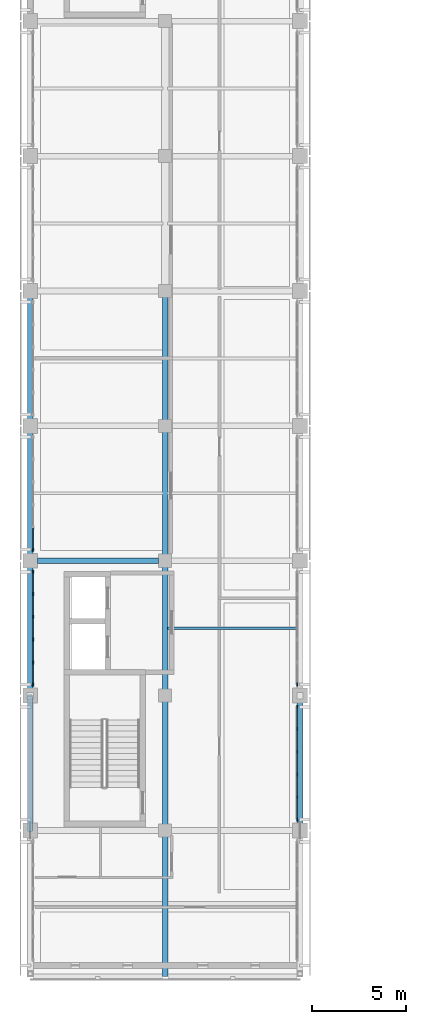
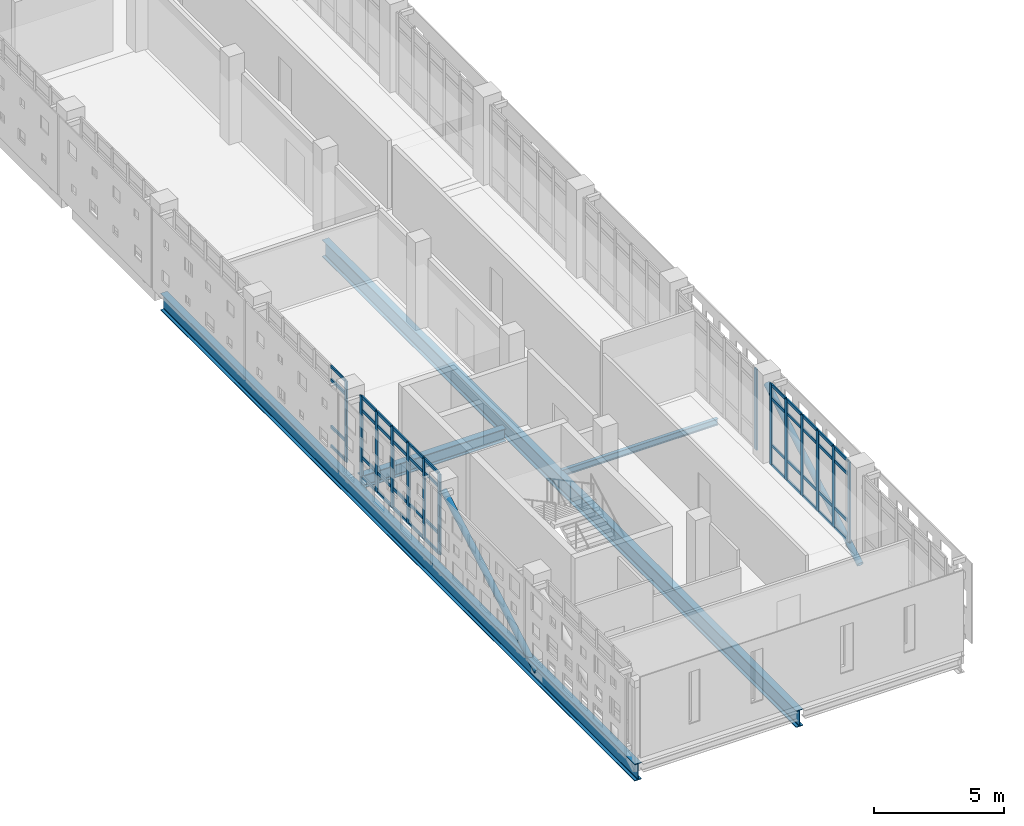
# One storey, part 4 of 33: 60 members, 4 beams, 4 elements without a shape of their own.
"""IFC4 building model written with IfcOpenShell, lengths in metres."""

from ifc_helpers import new_model, si_unit, direction, frame, origin, origin_2d, place, context, subcontext, project, spatial, rectangle, hollow_circle, i_section, extrude, material, layer, layer_set, material_profile, profile_set, type_object, element, aggregate, save


model = new_model("IFC4")

# Units and contexts
model_context = context("Model", 3, precision=1e-05, world=origin(), true_north=direction((0.0, 1.0)))
body_context = subcontext(model_context, "Body", "Model", "MODEL_VIEW")
ifc_project = project(units=[si_unit("LENGTHUNIT", "METRE"), si_unit("AREAUNIT", "SQUARE_METRE"), si_unit("VOLUMEUNIT", "CUBIC_METRE"), si_unit("PLANEANGLEUNIT", "RADIAN"), si_unit("MASSUNIT", "GRAM", prefix="KILO")], contexts=[model_context])

# Site, building, storey
site_placement = place(None, origin())
site = spatial("IfcSite", under=ifc_project, at=site_placement, CompositionType="ELEMENT")
building_placement = place(site_placement, origin())
building = spatial("IfcBuilding", under=site, at=building_placement, Name="Valkovuoma Quantum and Materials Research Institute", CompositionType="ELEMENT")
storey_placement = place(building_placement, frame((0.0, 0.0, 21.43994140625)))
storey = spatial("IfcBuildingStorey", under=building, at=storey_placement, Name="L05", CompositionType="ELEMENT", Elevation=21.43994140625)

# Beams
ifc_material_1 = material(Name="Steel S355J2", Category="steel")
ifc_material_profile_1 = material_profile(ifc_material_1, i_section(OverallWidth=0.300048828125, OverallDepth=0.60009765625, WebThickness=0.015380859375, FlangeThickness=0.030029296875, FilletRadius=0.027099609375, at=origin_2d()), Name="Steel S355J2")
ifc_profile_set_1 = profile_set([ifc_material_profile_1], Name="Steel S355J2")
beam_type_1 = type_object("IfcBeamType", Name="Beam-B-HEB600", PredefinedType="BEAM", material=ifc_profile_set_1)
beam_1_placement = place(storey_placement, frame((0.39990234375, 43.199951171875, -0.64990234375), z_axis=(1.0, 0.0, 0.0), x_axis=(0.0, 1.0, 0.0)))
element("IfcBeam", 1, at=beam_1_placement, inside=storey, type_object=beam_type_1, Name="L05 beam X-2115", PredefinedType="BEAM", context=body_context, shape_type="SweptSolid", body=[
    extrude(i_section(OverallWidth=0.300048828125, OverallDepth=0.60009765625, WebThickness=0.015380859375, FlangeThickness=0.030029296875, FilletRadius=0.027099609375, at=origin_2d()), origin(), (0.0, 0.0, 1.0), 6.4501953125),
])
ifc_material_2 = material(Name="Steel S355J2", Category="steel")
ifc_material_profile_2 = material_profile(ifc_material_2, i_section(OverallWidth=0.300048828125, OverallDepth=0.800048828125, WebThickness=0.017578125, FlangeThickness=0.032958984375, FilletRadius=0.030029296875, at=origin_2d()), Name="Steel S355J2")
ifc_profile_set_2 = profile_set([ifc_material_profile_2], Name="Steel S355J2")
beam_type_2 = type_object("IfcBeamType", Name="Beam-B-HEB800", PredefinedType="BEAM", material=ifc_profile_set_2)
for number, where, z_axis, x_axis, name in (
    (2, (0.0, 21.0, -0.75), (0.0, 1.0, 0.0), (-1.0, 0.0, 0.0), "L05 cantilever girder X0"),
    (3, (7.199951171875, 21.0, -0.75), (0.0, 1.0, 0.0), (-1.0, 0.0, 0.0), "L05 cantilever girder X1"),
):
    element("IfcBeam", number, at=place(storey_placement, frame(where, z_axis=z_axis, x_axis=x_axis)), inside=storey, type_object=beam_type_2, Name=name, PredefinedType="BEAM", context=body_context, shape_type="SweptSolid", body=[
        extrude(i_section(OverallWidth=0.300048828125, OverallDepth=0.800048828125, WebThickness=0.017578125, FlangeThickness=0.032958984375, FilletRadius=0.030029296875, at=origin_2d()), origin(), (0.0, 0.0, 1.0), 36.60009765625),
    ])
ifc_material_3 = material(Name="Steel S355J2", Category="steel")
ifc_material_profile_3 = material_profile(ifc_material_3, i_section(OverallWidth=0.14990234375, OverallDepth=0.300048828125, WebThickness=0.007080078125, FlangeThickness=0.0107421875, FilletRadius=0.014892578125, at=origin_2d()), Name="Steel S355J2")
ifc_profile_set_3 = profile_set([ifc_material_profile_3], Name="Steel S355J2")
beam_type_3 = type_object("IfcBeamType", Name="Beam-B-JST300", PredefinedType="JOIST", material=ifc_profile_set_3)
beam_2_placement = place(storey_placement, frame((7.320068359375, 39.60009765625, -0.5), z_axis=(1.0, 0.0, 0.0), x_axis=(0.0, 1.0, 0.0)))
element("IfcBeam", 4, at=beam_2_placement, inside=storey, type_object=beam_type_3, Name="L05 floor joist 2260", PredefinedType="JOIST", context=body_context, shape_type="SweptSolid", body=[
    extrude(i_section(OverallWidth=0.14990234375, OverallDepth=0.300048828125, WebThickness=0.007080078125, FlangeThickness=0.0107421875, FilletRadius=0.014892578125, at=origin_2d()), origin(), (0.0, 0.0, 1.0), 6.9599609375),
])

# Curtain wall, members
ifc_material_4 = material(Name="Thermally broken aluminium and triple low-E glazing", Category="aluminium")
ifc_layer = layer(ifc_material_4, 0.219970703125)
ifc_layer_set = layer_set([ifc_layer], Name="Thermally broken aluminium and triple low-E glazing")
curtain_wall_type = type_object("IfcCurtainWallType", Name="CW-CW-01", PredefinedType="NOTDEFINED", material=ifc_layer_set)
curtain_wall_1_placement = place(storey_placement, origin())
curtain_wall_1 = element("IfcCurtainWall", 5, at=curtain_wall_1_placement, inside=storey, type_object=curtain_wall_type, Name="L05 curtain wall 057", PredefinedType="NOTDEFINED")
ifc_material_5 = material(Name="Anodised aluminium 6060-T66", Category="aluminium")
ifc_material_profile_4 = material_profile(ifc_material_5, rectangle(XDim=0.06494140625, YDim=0.179931640625, at=origin_2d()), Name="Anodised aluminium 6060-T66")
ifc_profile_set_4 = profile_set([ifc_material_profile_4], Name="Anodised aluminium 6060-T66")
member_type_1 = type_object("IfcMemberType", Name="CWMull-CWM-01", PredefinedType="MULLION", material=ifc_profile_set_4)
member_1_placement = place(storey_placement, frame((14.25, 29.3896484375, 0.0), z_axis=(0.0, 0.0, 1.0), x_axis=(-1.0, 0.0, 0.0)))
member_1 = element("IfcMember", 6, at=member_1_placement, type_object=member_type_1, Name="CW-01 mullion 1", PredefinedType="MULLION", context=body_context, shape_type="SweptSolid", body=[
    extrude(rectangle(XDim=0.06494140625, YDim=0.179931640625, at=origin_2d()), origin(), (0.0, 0.0, 1.0), 3.81005859375),
])
member_2_placement = place(storey_placement, frame((14.25, 30.57421875, 0.0), z_axis=(0.0, 0.0, 1.0), x_axis=(-1.0, 0.0, 0.0)))
member_2 = element("IfcMember", 7, at=member_2_placement, type_object=member_type_1, Name="CW-01 mullion 2", PredefinedType="MULLION", context=body_context, shape_type="SweptSolid", body=[
    extrude(rectangle(XDim=0.06494140625, YDim=0.179931640625, at=origin_2d()), origin(), (0.0, 0.0, 1.0), 3.81005859375),
])
member_3_placement = place(storey_placement, frame((14.25, 31.79150390625, 0.0), z_axis=(0.0, 0.0, 1.0), x_axis=(-1.0, 0.0, 0.0)))
member_3 = element("IfcMember", 8, at=member_3_placement, type_object=member_type_1, Name="CW-01 mullion 3", PredefinedType="MULLION", context=body_context, shape_type="SweptSolid", body=[
    extrude(rectangle(XDim=0.06494140625, YDim=0.179931640625, at=origin_2d()), origin(), (0.0, 0.0, 1.0), 3.81005859375),
])
member_4_placement = place(storey_placement, frame((14.25, 33.008544921875, 0.0), z_axis=(0.0, 0.0, 1.0), x_axis=(-1.0, 0.0, 0.0)))
member_4 = element("IfcMember", 9, at=member_4_placement, type_object=member_type_1, Name="CW-01 mullion 4", PredefinedType="MULLION", context=body_context, shape_type="SweptSolid", body=[
    extrude(rectangle(XDim=0.06494140625, YDim=0.179931640625, at=origin_2d()), origin(), (0.0, 0.0, 1.0), 3.81005859375),
])
member_5_placement = place(storey_placement, frame((14.25, 34.225830078125, 0.0), z_axis=(0.0, 0.0, 1.0), x_axis=(-1.0, 0.0, 0.0)))
member_5 = element("IfcMember", 10, at=member_5_placement, type_object=member_type_1, Name="CW-01 mullion 5", PredefinedType="MULLION", context=body_context, shape_type="SweptSolid", body=[
    extrude(rectangle(XDim=0.06494140625, YDim=0.179931640625, at=origin_2d()), origin(), (0.0, 0.0, 1.0), 3.81005859375),
])
member_6_placement = place(storey_placement, frame((14.25, 35.410400390625, 0.0), z_axis=(0.0, 0.0, 1.0), x_axis=(-1.0, 0.0, 0.0)))
member_6 = element("IfcMember", 11, at=member_6_placement, type_object=member_type_1, Name="CW-01 mullion 6", PredefinedType="MULLION", context=body_context, shape_type="SweptSolid", body=[
    extrude(rectangle(XDim=0.06494140625, YDim=0.179931640625, at=origin_2d()), origin(), (0.0, 0.0, 1.0), 3.81005859375),
])

curtain_wall_2_placement = place(storey_placement, origin())
curtain_wall_2 = element("IfcCurtainWall", 12, at=curtain_wall_2_placement, inside=storey, type_object=curtain_wall_type, Name="L05 curtain wall 058", PredefinedType="NOTDEFINED")
member_7_placement = place(storey_placement, frame((0.14990234375, 36.589599609375, 0.0), z_axis=(0.0, 0.0, 1.0), x_axis=(-1.0, 0.0, 0.0)))
member_7 = element("IfcMember", 13, at=member_7_placement, type_object=member_type_1, Name="CW-01 mullion 1", PredefinedType="MULLION", context=body_context, shape_type="SweptSolid", body=[
    extrude(rectangle(XDim=0.06494140625, YDim=0.179931640625, at=origin_2d()), origin(), (0.0, 0.0, 1.0), 3.81005859375),
])
member_8_placement = place(storey_placement, frame((0.14990234375, 37.774169921875, 0.0), z_axis=(0.0, 0.0, 1.0), x_axis=(-1.0, 0.0, 0.0)))
member_8 = element("IfcMember", 14, at=member_8_placement, type_object=member_type_1, Name="CW-01 mullion 2", PredefinedType="MULLION", context=body_context, shape_type="SweptSolid", body=[
    extrude(rectangle(XDim=0.06494140625, YDim=0.179931640625, at=origin_2d()), origin(), (0.0, 0.0, 1.0), 3.81005859375),
])
member_9_placement = place(storey_placement, frame((0.14990234375, 38.991455078125, 0.0), z_axis=(0.0, 0.0, 1.0), x_axis=(-1.0, 0.0, 0.0)))
member_9 = element("IfcMember", 15, at=member_9_placement, type_object=member_type_1, Name="CW-01 mullion 3", PredefinedType="MULLION", context=body_context, shape_type="SweptSolid", body=[
    extrude(rectangle(XDim=0.06494140625, YDim=0.179931640625, at=origin_2d()), origin(), (0.0, 0.0, 1.0), 3.81005859375),
])
member_10_placement = place(storey_placement, frame((0.14990234375, 40.20849609375, 0.0), z_axis=(0.0, 0.0, 1.0), x_axis=(-1.0, 0.0, 0.0)))
member_10 = element("IfcMember", 16, at=member_10_placement, type_object=member_type_1, Name="CW-01 mullion 4", PredefinedType="MULLION", context=body_context, shape_type="SweptSolid", body=[
    extrude(rectangle(XDim=0.06494140625, YDim=0.179931640625, at=origin_2d()), origin(), (0.0, 0.0, 1.0), 3.81005859375),
])
member_11_placement = place(storey_placement, frame((0.14990234375, 41.42578125, 0.0), z_axis=(0.0, 0.0, 1.0), x_axis=(-1.0, 0.0, 0.0)))
member_11 = element("IfcMember", 17, at=member_11_placement, type_object=member_type_1, Name="CW-01 mullion 5", PredefinedType="MULLION", context=body_context, shape_type="SweptSolid", body=[
    extrude(rectangle(XDim=0.06494140625, YDim=0.179931640625, at=origin_2d()), origin(), (0.0, 0.0, 1.0), 3.81005859375),
])
member_12_placement = place(storey_placement, frame((0.14990234375, 42.6103515625, 0.0), z_axis=(0.0, 0.0, 1.0), x_axis=(-1.0, 0.0, 0.0)))
member_12 = element("IfcMember", 18, at=member_12_placement, type_object=member_type_1, Name="CW-01 mullion 6", PredefinedType="MULLION", context=body_context, shape_type="SweptSolid", body=[
    extrude(rectangle(XDim=0.06494140625, YDim=0.179931640625, at=origin_2d()), origin(), (0.0, 0.0, 1.0), 3.81005859375),
])

# Curtain wall, member
curtain_wall_3_placement = place(storey_placement, origin())
curtain_wall_3 = element("IfcCurtainWall", 19, at=curtain_wall_3_placement, inside=storey, type_object=curtain_wall_type, Name="L05 curtain wall 059", PredefinedType="NOTDEFINED")
member_13_placement = place(storey_placement, frame((14.25, 36.589599609375, 0.0), z_axis=(0.0, 0.0, 1.0), x_axis=(-1.0, 0.0, 0.0)))
member_13 = element("IfcMember", 20, at=member_13_placement, type_object=member_type_1, Name="CW-01 mullion 1", PredefinedType="MULLION", context=body_context, shape_type="SweptSolid", body=[
    extrude(rectangle(XDim=0.06494140625, YDim=0.179931640625, at=origin_2d()), origin(), (0.0, 0.0, 1.0), 3.81005859375),
])
aggregate(curtain_wall_3, [member_13])

curtain_wall_4_placement = place(storey_placement, origin())
curtain_wall_4 = element("IfcCurtainWall", 21, at=curtain_wall_4_placement, inside=storey, type_object=curtain_wall_type, Name="L05 curtain wall 060", PredefinedType="NOTDEFINED")
member_14_placement = place(storey_placement, frame((0.14990234375, 43.78955078125, 0.0), z_axis=(0.0, 0.0, 1.0), x_axis=(-1.0, 0.0, 0.0)))
member_14 = element("IfcMember", 22, at=member_14_placement, type_object=member_type_1, Name="CW-01 mullion 1", PredefinedType="MULLION", context=body_context, shape_type="SweptSolid", body=[
    extrude(rectangle(XDim=0.06494140625, YDim=0.179931640625, at=origin_2d()), origin(), (0.0, 0.0, 1.0), 3.81005859375),
])

# Member
ifc_material_6 = material(Name="Anodised aluminium 6060-T66", Category="aluminium")
ifc_material_profile_5 = material_profile(ifc_material_6, rectangle(XDim=0.06494140625, YDim=0.139892578125, at=origin_2d()), Name="Anodised aluminium 6060-T66")
ifc_profile_set_5 = profile_set([ifc_material_profile_5], Name="Anodised aluminium 6060-T66")
member_type_2 = type_object("IfcMemberType", Name="CWTran-CWT-01", PredefinedType="USERDEFINED", material=ifc_profile_set_5)
member_15_placement = place(storey_placement, frame((14.25, 29.422119140625, 0.032470703125), z_axis=(0.0, 1.0, 0.0), x_axis=(-1.0, 0.0, 0.0)))
member_15 = element("IfcMember", 23, at=member_15_placement, type_object=member_type_2, Name="CW-01 transom 1.1", ObjectType="TRANSOM", PredefinedType="USERDEFINED", context=body_context, shape_type="SweptSolid", body=[
    extrude(rectangle(XDim=0.06494140625, YDim=0.139892578125, at=origin_2d()), origin(), (0.0, 0.0, 1.0), 1.11962890625),
])

member_16_placement = place(storey_placement, frame((14.25, 29.422119140625, 0.949951171875), z_axis=(0.0, 1.0, 0.0), x_axis=(-1.0, 0.0, 0.0)))
member_16 = element("IfcMember", 24, at=member_16_placement, type_object=member_type_2, Name="CW-01 transom 1.2", ObjectType="TRANSOM", PredefinedType="USERDEFINED", context=body_context, shape_type="SweptSolid", body=[
    extrude(rectangle(XDim=0.06494140625, YDim=0.139892578125, at=origin_2d()), origin(), (0.0, 0.0, 1.0), 1.11962890625),
])

member_17_placement = place(storey_placement, frame((14.25, 29.422119140625, 3.16015625), z_axis=(0.0, 1.0, 0.0), x_axis=(-1.0, 0.0, 0.0)))
member_17 = element("IfcMember", 25, at=member_17_placement, type_object=member_type_2, Name="CW-01 transom 1.3", ObjectType="TRANSOM", PredefinedType="USERDEFINED", context=body_context, shape_type="SweptSolid", body=[
    extrude(rectangle(XDim=0.06494140625, YDim=0.139892578125, at=origin_2d()), origin(), (0.0, 0.0, 1.0), 1.11962890625),
])

member_18_placement = place(storey_placement, frame((14.25, 29.422119140625, 3.777587890625), z_axis=(0.0, 1.0, 0.0), x_axis=(-1.0, 0.0, 0.0)))
member_18 = element("IfcMember", 26, at=member_18_placement, type_object=member_type_2, Name="CW-01 transom 1.4", ObjectType="TRANSOM", PredefinedType="USERDEFINED", context=body_context, shape_type="SweptSolid", body=[
    extrude(rectangle(XDim=0.06494140625, YDim=0.139892578125, at=origin_2d()), origin(), (0.0, 0.0, 1.0), 1.11962890625),
])

member_19_placement = place(storey_placement, frame((14.25, 30.606689453125, 0.032470703125), z_axis=(0.0, 1.0, 0.0), x_axis=(-1.0, 0.0, 0.0)))
member_19 = element("IfcMember", 27, at=member_19_placement, type_object=member_type_2, Name="CW-01 transom 2.1", ObjectType="TRANSOM", PredefinedType="USERDEFINED", context=body_context, shape_type="SweptSolid", body=[
    extrude(rectangle(XDim=0.06494140625, YDim=0.139892578125, at=origin_2d()), origin(), (0.0, 0.0, 1.0), 1.15234375),
])

member_20_placement = place(storey_placement, frame((14.25, 30.606689453125, 0.949951171875), z_axis=(0.0, 1.0, 0.0), x_axis=(-1.0, 0.0, 0.0)))
member_20 = element("IfcMember", 28, at=member_20_placement, type_object=member_type_2, Name="CW-01 transom 2.2", ObjectType="TRANSOM", PredefinedType="USERDEFINED", context=body_context, shape_type="SweptSolid", body=[
    extrude(rectangle(XDim=0.06494140625, YDim=0.139892578125, at=origin_2d()), origin(), (0.0, 0.0, 1.0), 1.15234375),
])

member_21_placement = place(storey_placement, frame((14.25, 30.606689453125, 3.16015625), z_axis=(0.0, 1.0, 0.0), x_axis=(-1.0, 0.0, 0.0)))
member_21 = element("IfcMember", 29, at=member_21_placement, type_object=member_type_2, Name="CW-01 transom 2.3", ObjectType="TRANSOM", PredefinedType="USERDEFINED", context=body_context, shape_type="SweptSolid", body=[
    extrude(rectangle(XDim=0.06494140625, YDim=0.139892578125, at=origin_2d()), origin(), (0.0, 0.0, 1.0), 1.15234375),
])

member_22_placement = place(storey_placement, frame((14.25, 30.606689453125, 3.777587890625), z_axis=(0.0, 1.0, 0.0), x_axis=(-1.0, 0.0, 0.0)))
member_22 = element("IfcMember", 30, at=member_22_placement, type_object=member_type_2, Name="CW-01 transom 2.4", ObjectType="TRANSOM", PredefinedType="USERDEFINED", context=body_context, shape_type="SweptSolid", body=[
    extrude(rectangle(XDim=0.06494140625, YDim=0.139892578125, at=origin_2d()), origin(), (0.0, 0.0, 1.0), 1.15234375),
])

member_23_placement = place(storey_placement, frame((14.25, 31.823974609375, 0.032470703125), z_axis=(0.0, 1.0, 0.0), x_axis=(-1.0, 0.0, 0.0)))
member_23 = element("IfcMember", 31, at=member_23_placement, type_object=member_type_2, Name="CW-01 transom 3.1", ObjectType="TRANSOM", PredefinedType="USERDEFINED", context=body_context, shape_type="SweptSolid", body=[
    extrude(rectangle(XDim=0.06494140625, YDim=0.139892578125, at=origin_2d()), origin(), (0.0, 0.0, 1.0), 1.152099609375),
])

member_24_placement = place(storey_placement, frame((14.25, 31.823974609375, 0.949951171875), z_axis=(0.0, 1.0, 0.0), x_axis=(-1.0, 0.0, 0.0)))
member_24 = element("IfcMember", 32, at=member_24_placement, type_object=member_type_2, Name="CW-01 transom 3.2", ObjectType="TRANSOM", PredefinedType="USERDEFINED", context=body_context, shape_type="SweptSolid", body=[
    extrude(rectangle(XDim=0.06494140625, YDim=0.139892578125, at=origin_2d()), origin(), (0.0, 0.0, 1.0), 1.152099609375),
])

member_25_placement = place(storey_placement, frame((14.25, 31.823974609375, 3.16015625), z_axis=(0.0, 1.0, 0.0), x_axis=(-1.0, 0.0, 0.0)))
member_25 = element("IfcMember", 33, at=member_25_placement, type_object=member_type_2, Name="CW-01 transom 3.3", ObjectType="TRANSOM", PredefinedType="USERDEFINED", context=body_context, shape_type="SweptSolid", body=[
    extrude(rectangle(XDim=0.06494140625, YDim=0.139892578125, at=origin_2d()), origin(), (0.0, 0.0, 1.0), 1.152099609375),
])

member_26_placement = place(storey_placement, frame((14.25, 31.823974609375, 3.777587890625), z_axis=(0.0, 1.0, 0.0), x_axis=(-1.0, 0.0, 0.0)))
member_26 = element("IfcMember", 34, at=member_26_placement, type_object=member_type_2, Name="CW-01 transom 3.4", ObjectType="TRANSOM", PredefinedType="USERDEFINED", context=body_context, shape_type="SweptSolid", body=[
    extrude(rectangle(XDim=0.06494140625, YDim=0.139892578125, at=origin_2d()), origin(), (0.0, 0.0, 1.0), 1.152099609375),
])

member_27_placement = place(storey_placement, frame((14.25, 33.041015625, 0.032470703125), z_axis=(0.0, 1.0, 0.0), x_axis=(-1.0, 0.0, 0.0)))
member_27 = element("IfcMember", 35, at=member_27_placement, type_object=member_type_2, Name="CW-01 transom 4.1", ObjectType="TRANSOM", PredefinedType="USERDEFINED", context=body_context, shape_type="SweptSolid", body=[
    extrude(rectangle(XDim=0.06494140625, YDim=0.139892578125, at=origin_2d()), origin(), (0.0, 0.0, 1.0), 1.15234375),
])

member_28_placement = place(storey_placement, frame((14.25, 33.041015625, 0.949951171875), z_axis=(0.0, 1.0, 0.0), x_axis=(-1.0, 0.0, 0.0)))
member_28 = element("IfcMember", 36, at=member_28_placement, type_object=member_type_2, Name="CW-01 transom 4.2", ObjectType="TRANSOM", PredefinedType="USERDEFINED", context=body_context, shape_type="SweptSolid", body=[
    extrude(rectangle(XDim=0.06494140625, YDim=0.139892578125, at=origin_2d()), origin(), (0.0, 0.0, 1.0), 1.15234375),
])

member_29_placement = place(storey_placement, frame((14.25, 33.041015625, 3.16015625), z_axis=(0.0, 1.0, 0.0), x_axis=(-1.0, 0.0, 0.0)))
member_29 = element("IfcMember", 37, at=member_29_placement, type_object=member_type_2, Name="CW-01 transom 4.3", ObjectType="TRANSOM", PredefinedType="USERDEFINED", context=body_context, shape_type="SweptSolid", body=[
    extrude(rectangle(XDim=0.06494140625, YDim=0.139892578125, at=origin_2d()), origin(), (0.0, 0.0, 1.0), 1.15234375),
])

member_30_placement = place(storey_placement, frame((14.25, 33.041015625, 3.777587890625), z_axis=(0.0, 1.0, 0.0), x_axis=(-1.0, 0.0, 0.0)))
member_30 = element("IfcMember", 38, at=member_30_placement, type_object=member_type_2, Name="CW-01 transom 4.4", ObjectType="TRANSOM", PredefinedType="USERDEFINED", context=body_context, shape_type="SweptSolid", body=[
    extrude(rectangle(XDim=0.06494140625, YDim=0.139892578125, at=origin_2d()), origin(), (0.0, 0.0, 1.0), 1.15234375),
])

member_31_placement = place(storey_placement, frame((14.25, 34.25830078125, 0.032470703125), z_axis=(0.0, 1.0, 0.0), x_axis=(-1.0, 0.0, 0.0)))
member_31 = element("IfcMember", 39, at=member_31_placement, type_object=member_type_2, Name="CW-01 transom 5.1", ObjectType="TRANSOM", PredefinedType="USERDEFINED", context=body_context, shape_type="SweptSolid", body=[
    extrude(rectangle(XDim=0.06494140625, YDim=0.139892578125, at=origin_2d()), origin(), (0.0, 0.0, 1.0), 1.11962890625),
])

member_32_placement = place(storey_placement, frame((14.25, 34.25830078125, 0.949951171875), z_axis=(0.0, 1.0, 0.0), x_axis=(-1.0, 0.0, 0.0)))
member_32 = element("IfcMember", 40, at=member_32_placement, type_object=member_type_2, Name="CW-01 transom 5.2", ObjectType="TRANSOM", PredefinedType="USERDEFINED", context=body_context, shape_type="SweptSolid", body=[
    extrude(rectangle(XDim=0.06494140625, YDim=0.139892578125, at=origin_2d()), origin(), (0.0, 0.0, 1.0), 1.11962890625),
])

member_33_placement = place(storey_placement, frame((14.25, 34.25830078125, 3.16015625), z_axis=(0.0, 1.0, 0.0), x_axis=(-1.0, 0.0, 0.0)))
member_33 = element("IfcMember", 41, at=member_33_placement, type_object=member_type_2, Name="CW-01 transom 5.3", ObjectType="TRANSOM", PredefinedType="USERDEFINED", context=body_context, shape_type="SweptSolid", body=[
    extrude(rectangle(XDim=0.06494140625, YDim=0.139892578125, at=origin_2d()), origin(), (0.0, 0.0, 1.0), 1.11962890625),
])

member_34_placement = place(storey_placement, frame((14.25, 34.25830078125, 3.777587890625), z_axis=(0.0, 1.0, 0.0), x_axis=(-1.0, 0.0, 0.0)))
member_34 = element("IfcMember", 42, at=member_34_placement, type_object=member_type_2, Name="CW-01 transom 5.4", ObjectType="TRANSOM", PredefinedType="USERDEFINED", context=body_context, shape_type="SweptSolid", body=[
    extrude(rectangle(XDim=0.06494140625, YDim=0.139892578125, at=origin_2d()), origin(), (0.0, 0.0, 1.0), 1.11962890625),
])

aggregate(curtain_wall_1, [member_1, member_2, member_3, member_4, member_5, member_6, member_15, member_16, member_17, member_18, member_19, member_20, member_21, member_22, member_23, member_24, member_25, member_26, member_27, member_28, member_29, member_30, member_31, member_32, member_33, member_34])

member_35_placement = place(storey_placement, frame((0.14990234375, 36.6220703125, 0.032470703125), z_axis=(0.0, 1.0, 0.0), x_axis=(-1.0, 0.0, 0.0)))
member_35 = element("IfcMember", 43, at=member_35_placement, type_object=member_type_2, Name="CW-01 transom 1.1", ObjectType="TRANSOM", PredefinedType="USERDEFINED", context=body_context, shape_type="SweptSolid", body=[
    extrude(rectangle(XDim=0.06494140625, YDim=0.139892578125, at=origin_2d()), origin(), (0.0, 0.0, 1.0), 1.11962890625),
])

member_36_placement = place(storey_placement, frame((0.14990234375, 36.6220703125, 0.949951171875), z_axis=(0.0, 1.0, 0.0), x_axis=(-1.0, 0.0, 0.0)))
member_36 = element("IfcMember", 44, at=member_36_placement, type_object=member_type_2, Name="CW-01 transom 1.2", ObjectType="TRANSOM", PredefinedType="USERDEFINED", context=body_context, shape_type="SweptSolid", body=[
    extrude(rectangle(XDim=0.06494140625, YDim=0.139892578125, at=origin_2d()), origin(), (0.0, 0.0, 1.0), 1.11962890625),
])

member_37_placement = place(storey_placement, frame((0.14990234375, 36.6220703125, 3.16015625), z_axis=(0.0, 1.0, 0.0), x_axis=(-1.0, 0.0, 0.0)))
member_37 = element("IfcMember", 45, at=member_37_placement, type_object=member_type_2, Name="CW-01 transom 1.3", ObjectType="TRANSOM", PredefinedType="USERDEFINED", context=body_context, shape_type="SweptSolid", body=[
    extrude(rectangle(XDim=0.06494140625, YDim=0.139892578125, at=origin_2d()), origin(), (0.0, 0.0, 1.0), 1.11962890625),
])

member_38_placement = place(storey_placement, frame((0.14990234375, 36.6220703125, 3.777587890625), z_axis=(0.0, 1.0, 0.0), x_axis=(-1.0, 0.0, 0.0)))
member_38 = element("IfcMember", 46, at=member_38_placement, type_object=member_type_2, Name="CW-01 transom 1.4", ObjectType="TRANSOM", PredefinedType="USERDEFINED", context=body_context, shape_type="SweptSolid", body=[
    extrude(rectangle(XDim=0.06494140625, YDim=0.139892578125, at=origin_2d()), origin(), (0.0, 0.0, 1.0), 1.11962890625),
])

member_39_placement = place(storey_placement, frame((0.14990234375, 37.806640625, 0.032470703125), z_axis=(0.0, 1.0, 0.0), x_axis=(-1.0, 0.0, 0.0)))
member_39 = element("IfcMember", 47, at=member_39_placement, type_object=member_type_2, Name="CW-01 transom 2.1", ObjectType="TRANSOM", PredefinedType="USERDEFINED", context=body_context, shape_type="SweptSolid", body=[
    extrude(rectangle(XDim=0.06494140625, YDim=0.139892578125, at=origin_2d()), origin(), (0.0, 0.0, 1.0), 1.15234375),
])

member_40_placement = place(storey_placement, frame((0.14990234375, 37.806640625, 0.949951171875), z_axis=(0.0, 1.0, 0.0), x_axis=(-1.0, 0.0, 0.0)))
member_40 = element("IfcMember", 48, at=member_40_placement, type_object=member_type_2, Name="CW-01 transom 2.2", ObjectType="TRANSOM", PredefinedType="USERDEFINED", context=body_context, shape_type="SweptSolid", body=[
    extrude(rectangle(XDim=0.06494140625, YDim=0.139892578125, at=origin_2d()), origin(), (0.0, 0.0, 1.0), 1.15234375),
])

member_41_placement = place(storey_placement, frame((0.14990234375, 37.806640625, 3.16015625), z_axis=(0.0, 1.0, 0.0), x_axis=(-1.0, 0.0, 0.0)))
member_41 = element("IfcMember", 49, at=member_41_placement, type_object=member_type_2, Name="CW-01 transom 2.3", ObjectType="TRANSOM", PredefinedType="USERDEFINED", context=body_context, shape_type="SweptSolid", body=[
    extrude(rectangle(XDim=0.06494140625, YDim=0.139892578125, at=origin_2d()), origin(), (0.0, 0.0, 1.0), 1.15234375),
])

member_42_placement = place(storey_placement, frame((0.14990234375, 37.806640625, 3.777587890625), z_axis=(0.0, 1.0, 0.0), x_axis=(-1.0, 0.0, 0.0)))
member_42 = element("IfcMember", 50, at=member_42_placement, type_object=member_type_2, Name="CW-01 transom 2.4", ObjectType="TRANSOM", PredefinedType="USERDEFINED", context=body_context, shape_type="SweptSolid", body=[
    extrude(rectangle(XDim=0.06494140625, YDim=0.139892578125, at=origin_2d()), origin(), (0.0, 0.0, 1.0), 1.15234375),
])

member_43_placement = place(storey_placement, frame((0.14990234375, 39.02392578125, 0.032470703125), z_axis=(0.0, 1.0, 0.0), x_axis=(-1.0, 0.0, 0.0)))
member_43 = element("IfcMember", 51, at=member_43_placement, type_object=member_type_2, Name="CW-01 transom 3.1", ObjectType="TRANSOM", PredefinedType="USERDEFINED", context=body_context, shape_type="SweptSolid", body=[
    extrude(rectangle(XDim=0.06494140625, YDim=0.139892578125, at=origin_2d()), origin(), (0.0, 0.0, 1.0), 1.152099609375),
])

member_44_placement = place(storey_placement, frame((0.14990234375, 39.02392578125, 0.949951171875), z_axis=(0.0, 1.0, 0.0), x_axis=(-1.0, 0.0, 0.0)))
member_44 = element("IfcMember", 52, at=member_44_placement, type_object=member_type_2, Name="CW-01 transom 3.2", ObjectType="TRANSOM", PredefinedType="USERDEFINED", context=body_context, shape_type="SweptSolid", body=[
    extrude(rectangle(XDim=0.06494140625, YDim=0.139892578125, at=origin_2d()), origin(), (0.0, 0.0, 1.0), 1.152099609375),
])

member_45_placement = place(storey_placement, frame((0.14990234375, 39.02392578125, 3.16015625), z_axis=(0.0, 1.0, 0.0), x_axis=(-1.0, 0.0, 0.0)))
member_45 = element("IfcMember", 53, at=member_45_placement, type_object=member_type_2, Name="CW-01 transom 3.3", ObjectType="TRANSOM", PredefinedType="USERDEFINED", context=body_context, shape_type="SweptSolid", body=[
    extrude(rectangle(XDim=0.06494140625, YDim=0.139892578125, at=origin_2d()), origin(), (0.0, 0.0, 1.0), 1.152099609375),
])

member_46_placement = place(storey_placement, frame((0.14990234375, 39.02392578125, 3.777587890625), z_axis=(0.0, 1.0, 0.0), x_axis=(-1.0, 0.0, 0.0)))
member_46 = element("IfcMember", 54, at=member_46_placement, type_object=member_type_2, Name="CW-01 transom 3.4", ObjectType="TRANSOM", PredefinedType="USERDEFINED", context=body_context, shape_type="SweptSolid", body=[
    extrude(rectangle(XDim=0.06494140625, YDim=0.139892578125, at=origin_2d()), origin(), (0.0, 0.0, 1.0), 1.152099609375),
])

member_47_placement = place(storey_placement, frame((0.14990234375, 40.240966796875, 0.032470703125), z_axis=(0.0, 1.0, 0.0), x_axis=(-1.0, 0.0, 0.0)))
member_47 = element("IfcMember", 55, at=member_47_placement, type_object=member_type_2, Name="CW-01 transom 4.1", ObjectType="TRANSOM", PredefinedType="USERDEFINED", context=body_context, shape_type="SweptSolid", body=[
    extrude(rectangle(XDim=0.06494140625, YDim=0.139892578125, at=origin_2d()), origin(), (0.0, 0.0, 1.0), 1.15234375),
])

member_48_placement = place(storey_placement, frame((0.14990234375, 40.240966796875, 0.949951171875), z_axis=(0.0, 1.0, 0.0), x_axis=(-1.0, 0.0, 0.0)))
member_48 = element("IfcMember", 56, at=member_48_placement, type_object=member_type_2, Name="CW-01 transom 4.2", ObjectType="TRANSOM", PredefinedType="USERDEFINED", context=body_context, shape_type="SweptSolid", body=[
    extrude(rectangle(XDim=0.06494140625, YDim=0.139892578125, at=origin_2d()), origin(), (0.0, 0.0, 1.0), 1.15234375),
])

member_49_placement = place(storey_placement, frame((0.14990234375, 40.240966796875, 3.16015625), z_axis=(0.0, 1.0, 0.0), x_axis=(-1.0, 0.0, 0.0)))
member_49 = element("IfcMember", 57, at=member_49_placement, type_object=member_type_2, Name="CW-01 transom 4.3", ObjectType="TRANSOM", PredefinedType="USERDEFINED", context=body_context, shape_type="SweptSolid", body=[
    extrude(rectangle(XDim=0.06494140625, YDim=0.139892578125, at=origin_2d()), origin(), (0.0, 0.0, 1.0), 1.15234375),
])

member_50_placement = place(storey_placement, frame((0.14990234375, 40.240966796875, 3.777587890625), z_axis=(0.0, 1.0, 0.0), x_axis=(-1.0, 0.0, 0.0)))
member_50 = element("IfcMember", 58, at=member_50_placement, type_object=member_type_2, Name="CW-01 transom 4.4", ObjectType="TRANSOM", PredefinedType="USERDEFINED", context=body_context, shape_type="SweptSolid", body=[
    extrude(rectangle(XDim=0.06494140625, YDim=0.139892578125, at=origin_2d()), origin(), (0.0, 0.0, 1.0), 1.15234375),
])

member_51_placement = place(storey_placement, frame((0.14990234375, 41.458251953125, 0.032470703125), z_axis=(0.0, 1.0, 0.0), x_axis=(-1.0, 0.0, 0.0)))
member_51 = element("IfcMember", 59, at=member_51_placement, type_object=member_type_2, Name="CW-01 transom 5.1", ObjectType="TRANSOM", PredefinedType="USERDEFINED", context=body_context, shape_type="SweptSolid", body=[
    extrude(rectangle(XDim=0.06494140625, YDim=0.139892578125, at=origin_2d()), origin(), (0.0, 0.0, 1.0), 1.11962890625),
])

member_52_placement = place(storey_placement, frame((0.14990234375, 41.458251953125, 0.949951171875), z_axis=(0.0, 1.0, 0.0), x_axis=(-1.0, 0.0, 0.0)))
member_52 = element("IfcMember", 60, at=member_52_placement, type_object=member_type_2, Name="CW-01 transom 5.2", ObjectType="TRANSOM", PredefinedType="USERDEFINED", context=body_context, shape_type="SweptSolid", body=[
    extrude(rectangle(XDim=0.06494140625, YDim=0.139892578125, at=origin_2d()), origin(), (0.0, 0.0, 1.0), 1.11962890625),
])

member_53_placement = place(storey_placement, frame((0.14990234375, 41.458251953125, 3.16015625), z_axis=(0.0, 1.0, 0.0), x_axis=(-1.0, 0.0, 0.0)))
member_53 = element("IfcMember", 61, at=member_53_placement, type_object=member_type_2, Name="CW-01 transom 5.3", ObjectType="TRANSOM", PredefinedType="USERDEFINED", context=body_context, shape_type="SweptSolid", body=[
    extrude(rectangle(XDim=0.06494140625, YDim=0.139892578125, at=origin_2d()), origin(), (0.0, 0.0, 1.0), 1.11962890625),
])

member_54_placement = place(storey_placement, frame((0.14990234375, 41.458251953125, 3.777587890625), z_axis=(0.0, 1.0, 0.0), x_axis=(-1.0, 0.0, 0.0)))
member_54 = element("IfcMember", 62, at=member_54_placement, type_object=member_type_2, Name="CW-01 transom 5.4", ObjectType="TRANSOM", PredefinedType="USERDEFINED", context=body_context, shape_type="SweptSolid", body=[
    extrude(rectangle(XDim=0.06494140625, YDim=0.139892578125, at=origin_2d()), origin(), (0.0, 0.0, 1.0), 1.11962890625),
])

aggregate(curtain_wall_2, [member_7, member_8, member_9, member_10, member_11, member_12, member_35, member_36, member_37, member_38, member_39, member_40, member_41, member_42, member_43, member_44, member_45, member_46, member_47, member_48, member_49, member_50, member_51, member_52, member_53, member_54])

member_55_placement = place(storey_placement, frame((0.14990234375, 43.822021484375, 0.032470703125), z_axis=(0.0, 1.0, 0.0), x_axis=(-1.0, 0.0, 0.0)))
member_55 = element("IfcMember", 63, at=member_55_placement, type_object=member_type_2, Name="CW-01 transom 1.1", ObjectType="TRANSOM", PredefinedType="USERDEFINED", context=body_context, shape_type="SweptSolid", body=[
    extrude(rectangle(XDim=0.06494140625, YDim=0.139892578125, at=origin_2d()), origin(), (0.0, 0.0, 1.0), 1.11962890625),
])

member_56_placement = place(storey_placement, frame((0.14990234375, 43.822021484375, 0.949951171875), z_axis=(0.0, 1.0, 0.0), x_axis=(-1.0, 0.0, 0.0)))
member_56 = element("IfcMember", 64, at=member_56_placement, type_object=member_type_2, Name="CW-01 transom 1.2", ObjectType="TRANSOM", PredefinedType="USERDEFINED", context=body_context, shape_type="SweptSolid", body=[
    extrude(rectangle(XDim=0.06494140625, YDim=0.139892578125, at=origin_2d()), origin(), (0.0, 0.0, 1.0), 1.11962890625),
])

member_57_placement = place(storey_placement, frame((0.14990234375, 43.822021484375, 3.16015625), z_axis=(0.0, 1.0, 0.0), x_axis=(-1.0, 0.0, 0.0)))
member_57 = element("IfcMember", 65, at=member_57_placement, type_object=member_type_2, Name="CW-01 transom 1.3", ObjectType="TRANSOM", PredefinedType="USERDEFINED", context=body_context, shape_type="SweptSolid", body=[
    extrude(rectangle(XDim=0.06494140625, YDim=0.139892578125, at=origin_2d()), origin(), (0.0, 0.0, 1.0), 1.11962890625),
])

member_58_placement = place(storey_placement, frame((0.14990234375, 43.822021484375, 3.777587890625), z_axis=(0.0, 1.0, 0.0), x_axis=(-1.0, 0.0, 0.0)))
member_58 = element("IfcMember", 66, at=member_58_placement, type_object=member_type_2, Name="CW-01 transom 1.4", ObjectType="TRANSOM", PredefinedType="USERDEFINED", context=body_context, shape_type="SweptSolid", body=[
    extrude(rectangle(XDim=0.06494140625, YDim=0.139892578125, at=origin_2d()), origin(), (0.0, 0.0, 1.0), 1.11962890625),
])

aggregate(curtain_wall_4, [member_14, member_55, member_56, member_57, member_58])

# Members
ifc_material_7 = material(Name="Steel S355J2H", Category="steel")
ifc_material_profile_6 = material_profile(ifc_material_7, hollow_circle(Radius=0.136474609375, WallThickness=0.012451171875, at=origin_2d()), Name="Steel S355J2H")
ifc_profile_set_6 = profile_set([ifc_material_profile_6], Name="Steel S355J2H")
member_type_3 = type_object("IfcMemberType", Name="Mem-M-BRC273", PredefinedType="BRACE", material=ifc_profile_set_6)
for number, where, z_axis, x_axis, name in (
    (67, (0.0, 28.800048828125, -0.75), (0.0, 0.865855463966, 0.50029422895), (-1.0, 0.0, 0.0), "L05 cantilever back-span brace 0"),
    (68, (14.39990234375, 28.800048828125, -0.75), (0.0, 0.865855463966, 0.50029422895), (-1.0, 0.0, 0.0), "L05 cantilever back-span brace 1"),
):
    element("IfcMember", number, at=place(storey_placement, frame(where, z_axis=z_axis, x_axis=x_axis)), inside=storey, type_object=member_type_3, Name=name, PredefinedType="BRACE", context=body_context, shape_type="SweptSolid", body=[
        extrude(hollow_circle(Radius=0.136474609375, WallThickness=0.012451171875, at=origin_2d()), origin(), (0.0, 0.0, 1.0), 8.3154296875),
    ])

save(model, "model.ifc")
